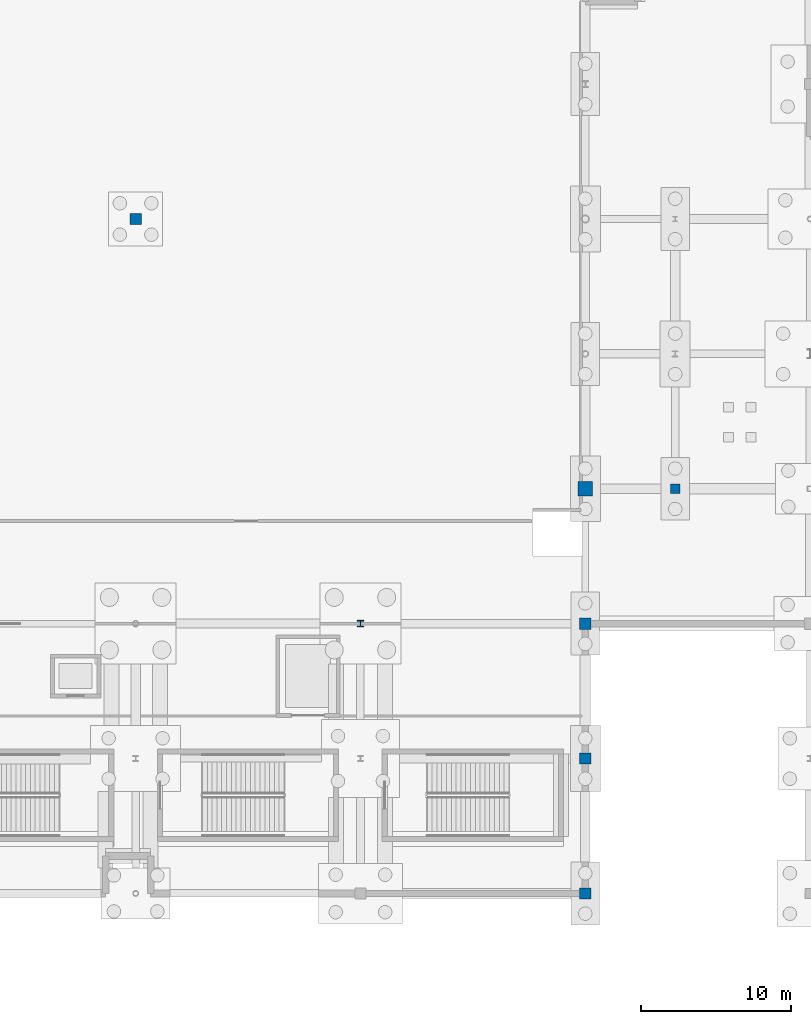
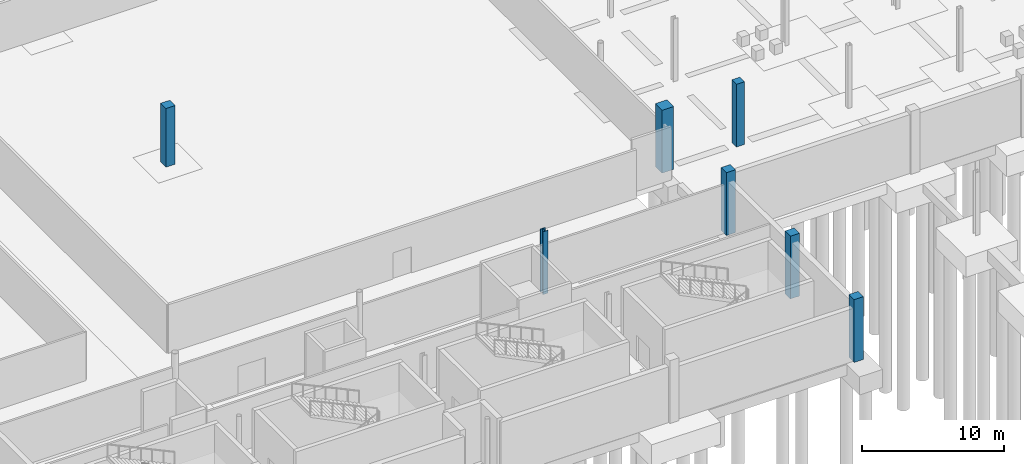
# One storey, part 17 of 58: 7 columns.
"""IFC4 building model written with IfcOpenShell, lengths in metres."""

from ifc_helpers import new_model, si_unit, direction, frame, origin, origin_2d, place, context, subcontext, project, spatial, rectangle, i_section, extrude, material, material_profile, profile_set, type_object, element, save


model = new_model("IFC4")

# Units and contexts
model_context = context("Model", 3, precision=1e-05, world=origin(), true_north=direction((0.0, 1.0)))
body_context = subcontext(model_context, "Body", "Model", "MODEL_VIEW")
ifc_project = project(units=[si_unit("LENGTHUNIT", "METRE"), si_unit("AREAUNIT", "SQUARE_METRE"), si_unit("VOLUMEUNIT", "CUBIC_METRE"), si_unit("PLANEANGLEUNIT", "RADIAN"), si_unit("MASSUNIT", "GRAM", prefix="KILO")], contexts=[model_context])

# Site, building, storey
site_placement = place(None, origin())
site = spatial("IfcSite", under=ifc_project, at=site_placement, CompositionType="ELEMENT")
building_placement = place(site_placement, origin())
building = spatial("IfcBuilding", under=site, at=building_placement, Name="Qamarlyn Nura Convention Centre", CompositionType="ELEMENT")
storey_placement = place(building_placement, frame((0.0, 0.0, -5.39990234375)))
storey = spatial("IfcBuildingStorey", under=building, at=storey_placement, Name="B01", CompositionType="ELEMENT", Elevation=-5.39990234375)

# Columns
ifc_material_1 = material(Name="Concrete C50/60", Category="concrete")
ifc_material_profile_1 = material_profile(ifc_material_1, rectangle(XDim=0.949951171875, YDim=0.949951171875, at=origin_2d()), Name="RC 950x950")
ifc_profile_set_1 = profile_set([ifc_material_profile_1], Name="Concrete C50/60")
column_type_1 = type_object("IfcColumnType", Name="COL-HALL-2", PredefinedType="COLUMN", material=ifc_profile_set_1)
column_1_placement = place(storey_placement, frame((120.0, 27.0, 0.0), z_axis=(0.0, 0.0, 1.0), x_axis=(1.0, 0.0, 0.0)))
element("IfcColumn", 1, at=column_1_placement, inside=storey, type_object=column_type_1, Name="B01 column 9/D", PredefinedType="COLUMN", context=body_context, shape_type="SweptSolid", body=[
    extrude(rectangle(XDim=0.949951171875, YDim=0.949951171875, at=origin_2d()), origin(), (0.0, 0.0, 1.0), 5.39990234375),
])
ifc_material_2 = material(Name="Steel ASTM A992", Category="steel")
ifc_material_profile_2 = material_profile(ifc_material_2, i_section(OverallWidth=0.408935546875, OverallDepth=0.425048828125, WebThickness=0.030517578125, FlangeThickness=0.049072265625, FilletRadius=0.02001953125, at=origin_2d()), Name="W360X421")
ifc_profile_set_2 = profile_set([ifc_material_profile_2], Name="Steel ASTM A992")
column_type_2 = type_object("IfcColumnType", Name="COL-MEGA-1", PredefinedType="COLUMN", material=ifc_profile_set_2)
column_2_placement = place(storey_placement, frame((105.0, 18.0, 0.0), z_axis=(0.0, 0.0, 1.0), x_axis=(1.0, 0.0, 0.0)))
element("IfcColumn", 2, at=column_2_placement, inside=storey, type_object=column_type_2, Name="B01 column 8/C", PredefinedType="COLUMN", context=body_context, shape_type="SweptSolid", body=[
    extrude(i_section(OverallWidth=0.408935546875, OverallDepth=0.425048828125, WebThickness=0.030517578125, FlangeThickness=0.049072265625, FilletRadius=0.02001953125, at=origin_2d()), origin(), (0.0, 0.0, 1.0), 5.39990234375),
])
ifc_material_profile_3 = material_profile(ifc_material_1, rectangle(XDim=0.75, YDim=0.75, at=origin_2d()), Name="RC 750x750")
ifc_profile_set_3 = profile_set([ifc_material_profile_3], Name="Concrete C50/60")
column_type_3 = type_object("IfcColumnType", Name="COL-SUB-2", PredefinedType="COLUMN", material=ifc_profile_set_3)
column_3_placement = place(storey_placement, frame((90.0, 45.0, 0.0), z_axis=(0.0, 0.0, 1.0), x_axis=(1.0, 0.0, 0.0)))
element("IfcColumn", 3, at=column_3_placement, inside=storey, type_object=column_type_3, Name="B01 column 7/F", PredefinedType="COLUMN", context=body_context, shape_type="SweptSolid", body=[
    extrude(rectangle(XDim=0.75, YDim=0.75, at=origin_2d()), origin(), (0.0, 0.0, 1.0), 5.0498046875),
])
for number, where, z_axis, x_axis, name in (
    (4, (120.0, 0.0, 0.0), (0.0, 0.0, 1.0), (1.0, 0.0, 0.0), "B01 column 9/A"),
    (5, (120.0, 9.0, 0.0), (0.0, 0.0, 1.0), (1.0, 0.0, 0.0), "B01 column 9/B"),
    (6, (120.0, 18.0, 0.0), (0.0, 0.0, 1.0), (1.0, 0.0, 0.0), "B01 column 9/C"),
):
    element("IfcColumn", number, at=place(storey_placement, frame(where, z_axis=z_axis, x_axis=x_axis)), inside=storey, type_object=column_type_3, Name=name, PredefinedType="COLUMN", context=body_context, shape_type="SweptSolid", body=[
        extrude(rectangle(XDim=0.75, YDim=0.75, at=origin_2d()), origin(), (0.0, 0.0, 1.0), 5.39990234375),
    ])
ifc_material_profile_4 = material_profile(ifc_material_1, rectangle(XDim=0.64990234375, YDim=0.64990234375, at=origin_2d()), Name="RC 650x650")
ifc_profile_set_4 = profile_set([ifc_material_profile_4], Name="Concrete C50/60")
column_type_4 = type_object("IfcColumnType", Name="COL-SUB-3", PredefinedType="COLUMN", material=ifc_profile_set_4)
column_4_placement = place(storey_placement, frame((126.0, 27.0, 0.0), z_axis=(0.0, 0.0, 1.0), x_axis=(1.0, 0.0, 0.0)))
element("IfcColumn", 7, at=column_4_placement, inside=storey, type_object=column_type_4, Name="B01 column 10/D", PredefinedType="COLUMN", context=body_context, shape_type="SweptSolid", body=[
    extrude(rectangle(XDim=0.64990234375, YDim=0.64990234375, at=origin_2d()), origin(), (0.0, 0.0, 1.0), 5.39990234375),
])

save(model, "model.ifc")
